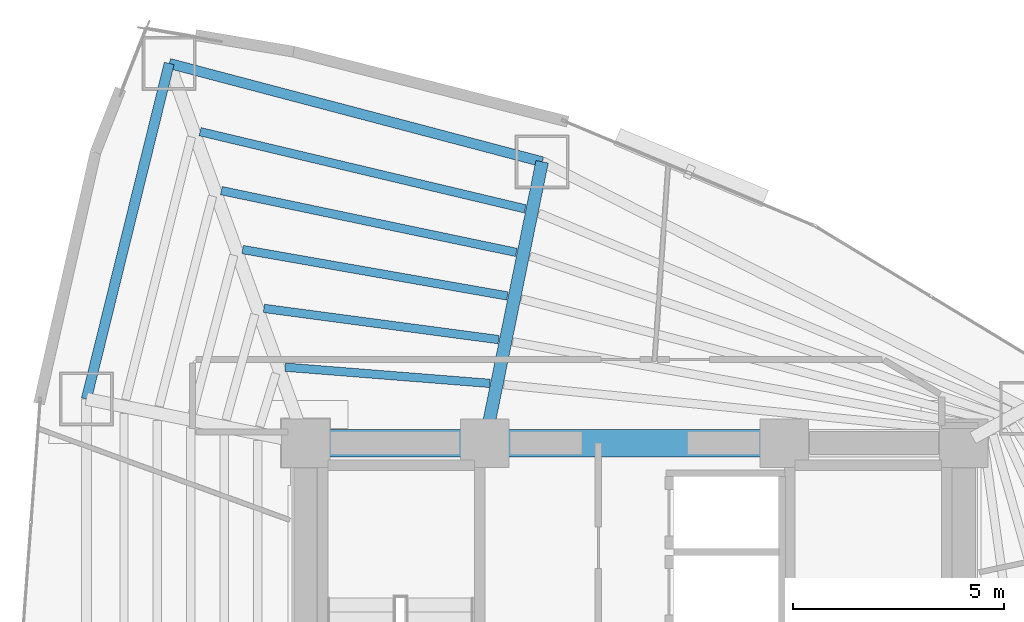
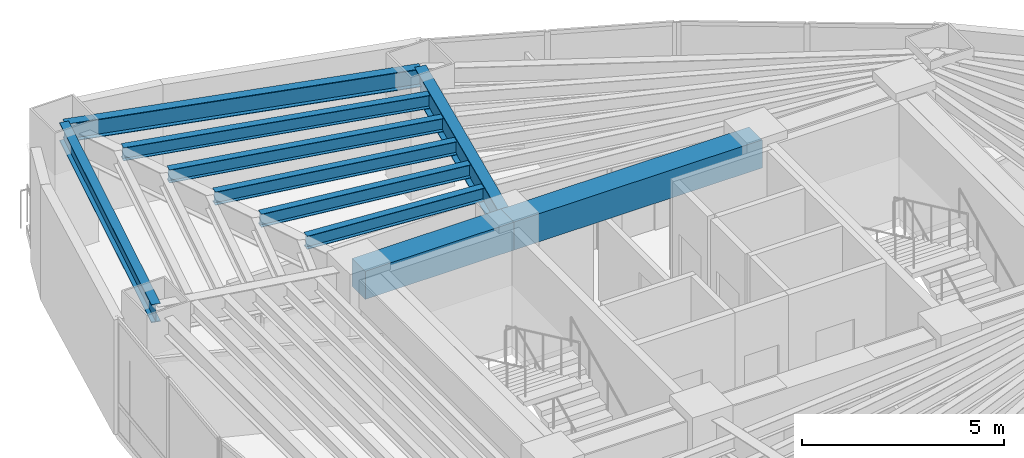
# One storey, part 8 of 19: 10 beams.
"""IFC4 building model written with IfcOpenShell, lengths in metres."""

from ifc_helpers import new_model, si_unit, direction, frame, origin, origin_2d, place, context, subcontext, project, spatial, rectangle, i_section, extrude, material, material_profile, profile_set, type_object, element, save


model = new_model("IFC4")

# Units and contexts
model_context = context("Model", 3, precision=1e-05, world=origin(), true_north=direction((0.0, 1.0)))
body_context = subcontext(model_context, "Body", "Model", "MODEL_VIEW")
ifc_project = project(units=[si_unit("LENGTHUNIT", "METRE"), si_unit("AREAUNIT", "SQUARE_METRE"), si_unit("VOLUMEUNIT", "CUBIC_METRE"), si_unit("PLANEANGLEUNIT", "RADIAN"), si_unit("MASSUNIT", "GRAM", prefix="KILO")], contexts=[model_context])

# Site, building, storey
site_placement = place(None, origin())
site = spatial("IfcSite", under=ifc_project, at=site_placement, CompositionType="ELEMENT")
building_placement = place(site_placement, origin())
building = spatial("IfcBuilding", under=site, at=building_placement, Name="Menara Vayukalpa", CompositionType="ELEMENT")
storey_placement = place(building_placement, frame((0.0, 0.0, 122.580078125)))
storey = spatial("IfcBuildingStorey", under=building, at=storey_placement, Name="L30", CompositionType="ELEMENT", Elevation=122.580078125)

# Beams
ifc_material_1 = material(Name="Concrete C60/75", Category="concrete")
ifc_material_profile_1 = material_profile(ifc_material_1, rectangle(XDim=0.64990234375, YDim=0.85009765625, at=origin_2d()), Name="RC 650x850")
ifc_profile_set_1 = profile_set([ifc_material_profile_1], Name="Concrete C60/75")
beam_type_1 = type_object("IfcBeamType", Name="BM-CB1", PredefinedType="BEAM", material=ifc_profile_set_1)
beam_1_placement = place(storey_placement, frame((17.800048828125, 26.800048828125, 3.044921875), z_axis=(1.0, 0.0, 0.0), x_axis=(0.0, 1.0, 0.0)))
element("IfcBeam", 1, at=beam_1_placement, inside=storey, type_object=beam_type_1, Name="L30 Core Tie Beam CBR4", PredefinedType="BEAM", context=body_context, shape_type="SweptSolid", body=[
    extrude(rectangle(XDim=0.64990234375, YDim=0.85009765625, at=origin_2d()), origin(), (0.0, 0.0, 1.0), 4.25),
])
beam_2_placement = place(storey_placement, frame((22.050048828125, 26.800048828125, 3.044921875), z_axis=(1.0, 0.0, 0.0), x_axis=(0.0, 1.0, 0.0)))
element("IfcBeam", 2, at=beam_2_placement, inside=storey, type_object=beam_type_1, Name="L30 Core Tie Beam CBR5", PredefinedType="BEAM", context=body_context, shape_type="SweptSolid", body=[
    extrude(rectangle(XDim=0.64990234375, YDim=0.85009765625, at=origin_2d()), origin(), (0.0, 0.0, 1.0), 7.099853515625),
])
ifc_material_2 = material(Name="Steel S355", Category="steel")
ifc_material_profile_2 = material_profile(ifc_material_2, i_section(OverallWidth=0.300048828125, OverallDepth=0.800048828125, WebThickness=0.013916015625, FlangeThickness=0.02587890625, at=origin_2d()), Name="WF 800x300x14x26")
ifc_profile_set_2 = profile_set([ifc_material_profile_2], Name="Steel S355")
beam_type_2 = type_object("IfcBeamType", Name="BM-PG3", PredefinedType="BEAM", material=ifc_profile_set_2)
beam_3_placement = place(storey_placement, frame((22.099853515625, 27.044921875, 3.06982421875), z_axis=(0.199617728418, 0.9798738503, 0.0), x_axis=(-0.9798738503, 0.199617728418, 0.0)))
element("IfcBeam", 3, at=beam_3_placement, inside=storey, type_object=beam_type_2, Name="L30 Primary Radial Girder RG03", PredefinedType="BEAM", context=body_context, shape_type="SweptSolid", body=[
    extrude(i_section(OverallWidth=0.300048828125, OverallDepth=0.800048828125, WebThickness=0.013916015625, FlangeThickness=0.02587890625, at=origin_2d()), origin(), (0.0, 0.0, 1.0), 6.55419921875),
])
ifc_material_3 = material(Name="Steel S355", Category="steel")
ifc_material_profile_3 = material_profile(ifc_material_3, i_section(OverallWidth=0.199951171875, OverallDepth=0.39990234375, WebThickness=0.008056640625, FlangeThickness=0.012939453125, at=origin_2d()), Name="WF 400x200x8x13")
ifc_profile_set_3 = profile_set([ifc_material_profile_3], Name="Steel S355")
beam_type_3 = type_object("IfcBeamType", Name="BM-SJ2", PredefinedType="JOIST", material=ifc_profile_set_3)
beam_4_placement = place(storey_placement, frame((22.166015625, 28.214599609375, 3.27001953125), z_axis=(-0.996868534468, 0.079076703187, 0.0), x_axis=(-0.079076703187, -0.996868534468, 0.0)))
element("IfcBeam", 4, at=beam_4_placement, inside=storey, type_object=beam_type_3, Name="L30 Secondary Floor Joist SJ03-1", PredefinedType="JOIST", context=body_context, shape_type="SweptSolid", body=[
    extrude(i_section(OverallWidth=0.199951171875, OverallDepth=0.39990234375, WebThickness=0.008056640625, FlangeThickness=0.012939453125, at=origin_2d()), origin(), (0.0, 0.0, 1.0), 4.862548828125),
])
beam_5_placement = place(storey_placement, frame((22.376220703125, 29.251220703125, 3.27001953125), z_axis=(-0.991248408809, 0.132009817941, 0.0), x_axis=(-0.132009817941, -0.991248408809, 0.0)))
element("IfcBeam", 5, at=beam_5_placement, inside=storey, type_object=beam_type_3, Name="L30 Secondary Floor Joist SJ03-2", PredefinedType="JOIST", context=body_context, shape_type="SweptSolid", body=[
    extrude(i_section(OverallWidth=0.199951171875, OverallDepth=0.39990234375, WebThickness=0.008056640625, FlangeThickness=0.012939453125, at=origin_2d()), origin(), (0.0, 0.0, 1.0), 5.611083984375),
])
beam_6_placement = place(storey_placement, frame((22.586669921875, 30.28564453125, 3.27001953125), z_axis=(-0.984953935883, 0.172817083033, 0.0), x_axis=(-0.172817083033, -0.984953935883, 0.0)))
element("IfcBeam", 6, at=beam_6_placement, inside=storey, type_object=beam_type_3, Name="L30 Secondary Floor Joist SJ03-3", PredefinedType="JOIST", context=body_context, shape_type="SweptSolid", body=[
    extrude(i_section(OverallWidth=0.199951171875, OverallDepth=0.39990234375, WebThickness=0.008056640625, FlangeThickness=0.012939453125, at=origin_2d()), origin(), (0.0, 0.0, 1.0), 6.372802734375),
])
beam_7_placement = place(storey_placement, frame((22.797119140625, 31.318603515625, 3.27001953125), z_axis=(-0.978749487369, 0.205059603471, 0.0), x_axis=(-0.205059603471, -0.978749487369, 0.0)))
element("IfcBeam", 7, at=beam_7_placement, inside=storey, type_object=beam_type_3, Name="L30 Secondary Floor Joist SJ03-4", PredefinedType="JOIST", context=body_context, shape_type="SweptSolid", body=[
    extrude(i_section(OverallWidth=0.199951171875, OverallDepth=0.39990234375, WebThickness=0.008056640625, FlangeThickness=0.012939453125, at=origin_2d()), origin(), (0.0, 0.0, 1.0), 7.1435546875),
])
beam_8_placement = place(storey_placement, frame((23.00732421875, 32.3505859375, 3.27001953125), z_axis=(-0.97293603101, 0.231074619036, 0.0), x_axis=(-0.231074619036, -0.97293603101, 0.0)))
element("IfcBeam", 8, at=beam_8_placement, inside=storey, type_object=beam_type_3, Name="L30 Secondary Floor Joist SJ03-5", PredefinedType="JOIST", context=body_context, shape_type="SweptSolid", body=[
    extrude(i_section(OverallWidth=0.199951171875, OverallDepth=0.39990234375, WebThickness=0.008056640625, FlangeThickness=0.012939453125, at=origin_2d()), origin(), (0.0, 0.0, 1.0), 7.9208984375),
])
ifc_material_4 = material(Name="Steel S355", Category="steel")
ifc_material_profile_4 = material_profile(ifc_material_4, i_section(OverallWidth=0.239990234375, OverallDepth=0.550048828125, WebThickness=0.010986328125, FlangeThickness=0.01904296875, at=origin_2d()), Name="WF 550x240x11x19")
ifc_profile_set_4 = profile_set([ifc_material_profile_4], Name="Steel S355")
beam_type_4 = type_object("IfcBeamType", Name="BM-SP2", PredefinedType="SPANDREL", material=ifc_profile_set_4)
beam_9_placement = place(storey_placement, frame((23.408203125, 33.46728515625, 3.19482421875), z_axis=(-0.966966857313, 0.254902131921, 0.0), x_axis=(-0.254902131921, -0.966966857313, 0.0)))
element("IfcBeam", 9, at=beam_9_placement, inside=storey, type_object=beam_type_4, Name="L30 Perimeter Spandrel Beam SP03", PredefinedType="SPANDREL", context=body_context, shape_type="SweptSolid", body=[
    extrude(i_section(OverallWidth=0.239990234375, OverallDepth=0.550048828125, WebThickness=0.010986328125, FlangeThickness=0.01904296875, at=origin_2d()), origin(), (0.0, 0.0, 1.0), 9.14111328125),
])
beam_10_placement = place(storey_placement, frame((14.569091796875, 35.79736328125, 3.19482421875), z_axis=(-0.239602739234, -0.970871014786, 0.0), x_axis=(0.970871014786, -0.239602739234, 0.0)))
element("IfcBeam", 10, at=beam_10_placement, inside=storey, type_object=beam_type_4, Name="L30 Perimeter Spandrel Beam SP04", PredefinedType="SPANDREL", context=body_context, shape_type="SweptSolid", body=[
    extrude(i_section(OverallWidth=0.239990234375, OverallDepth=0.550048828125, WebThickness=0.010986328125, FlangeThickness=0.01904296875, at=origin_2d()), origin(), (0.0, 0.0, 1.0), 8.190185546875),
])

save(model, "model.ifc")
